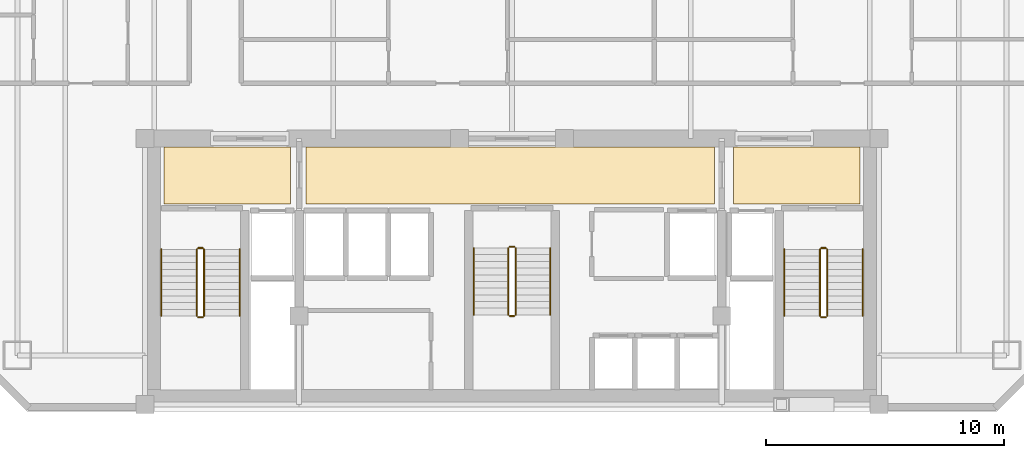
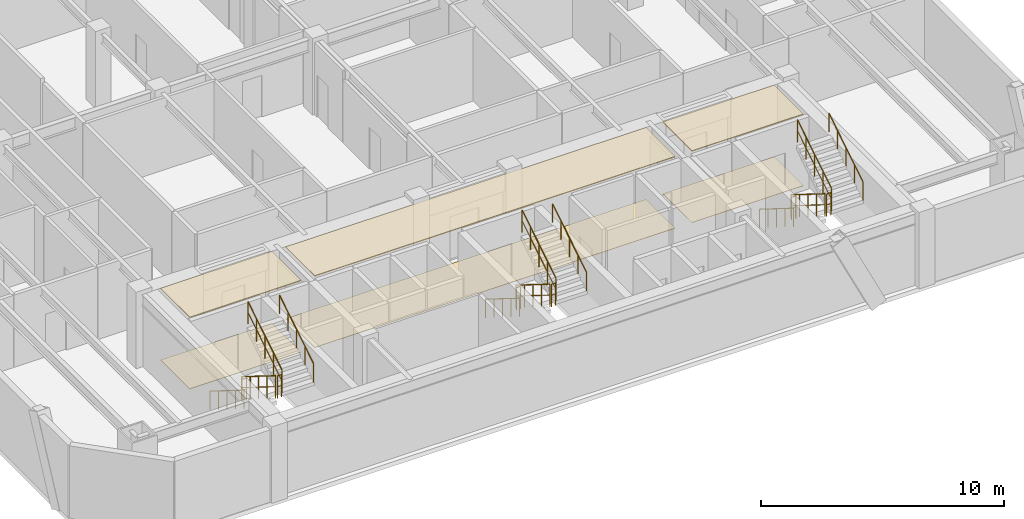
# One storey, part 8 of 8: 18 railings, 6 coverings.
"""IFC4 building model written with IfcOpenShell, lengths in metres."""

from ifc_helpers import new_model, si_unit, direction, frame, origin, origin_2d, place, context, subcontext, project, spatial, polyline, circle, outline, extrude, material, layer, layer_set, type_object, element, save


model = new_model("IFC4")

# Units and contexts
model_context = context("Model", 3, precision=1e-05, world=origin(), true_north=direction((0.0, 1.0)))
body_context = subcontext(model_context, "Body", "Model", "MODEL_VIEW")
ifc_project = project(units=[si_unit("LENGTHUNIT", "METRE"), si_unit("AREAUNIT", "SQUARE_METRE"), si_unit("VOLUMEUNIT", "CUBIC_METRE"), si_unit("PLANEANGLEUNIT", "RADIAN"), si_unit("MASSUNIT", "GRAM", prefix="KILO")], contexts=[model_context])

# Site, building, storey
site_placement = place(None, origin())
site = spatial("IfcSite", under=ifc_project, at=site_placement, CompositionType="ELEMENT")
building_placement = place(site_placement, origin())
building = spatial("IfcBuilding", under=site, at=building_placement, Name="Ventersveld Concourse Tower", CompositionType="ELEMENT")
storey_placement = place(building_placement, frame((0.0, 0.0, 160.60009765625)))
storey = spatial("IfcBuildingStorey", under=building, at=storey_placement, Name="L39", CompositionType="ELEMENT", Elevation=160.60009765625)

# Coverings
ifc_material_1 = material(Name="Mineral-fibre acoustic ceiling tile", Category="gypsum")
ifc_layer_1 = layer(ifc_material_1, 0.0400390625)
ifc_layer_set_1 = layer_set([ifc_layer_1], Name="Mineral-fibre acoustic ceiling tile")
covering_type_1 = type_object("IfcCoveringType", Name="COV-CEIL-ACOUSTIC", PredefinedType="CEILING", material=ifc_layer_set_1)
covering_1_placement = place(storey_placement, frame((0.0, 0.0, 3.58984375)))
element("IfcCovering", 1, at=covering_1_placement, inside=storey, type_object=covering_type_1, Name="L39 North Lift Lobby Acoustic Ceiling", PredefinedType="CEILING", context=body_context, shape_type="SweptSolid", body=[
    extrude(outline(polyline([(20.10009765625, 8.699951171875), (37.25, 8.699951171875), (37.25, 11.10009765625), (20.10009765625, 11.10009765625), (20.10009765625, 8.699951171875)])), origin(), (0.0, 0.0, 1.0), 0.0400390625),
])
covering_2_placement = place(storey_placement, frame((0.0, 0.0, 3.58984375)))
element("IfcCovering", 2, at=covering_2_placement, inside=storey, type_object=covering_type_1, Name="L39 West Firefighting Lobby Acoustic Ceiling", PredefinedType="CEILING", context=body_context, shape_type="SweptSolid", body=[
    extrude(outline(polyline([(14.14990234375, 8.699951171875), (19.449951171875, 8.699951171875), (19.449951171875, 11.10009765625), (14.14990234375, 11.10009765625), (14.14990234375, 8.699951171875)])), origin(), (0.0, 0.0, 1.0), 0.0400390625),
])
covering_3_placement = place(storey_placement, frame((0.0, 0.0, 3.58984375)))
element("IfcCovering", 3, at=covering_3_placement, inside=storey, type_object=covering_type_1, Name="L39 East Firefighting Lobby Acoustic Ceiling", PredefinedType="CEILING", context=body_context, shape_type="SweptSolid", body=[
    extrude(outline(polyline([(38.050048828125, 8.699951171875), (43.35009765625, 8.699951171875), (43.35009765625, 11.10009765625), (38.050048828125, 11.10009765625), (38.050048828125, 8.699951171875)])), origin(), (0.0, 0.0, 1.0), 0.0400390625),
])
ifc_material_2 = material(Name="Polished Highveld granite terrazzo", Category="masonry")
ifc_layer_2 = layer(ifc_material_2, 0.02001953125)
ifc_layer_set_2 = layer_set([ifc_layer_2], Name="Polished Highveld granite terrazzo")
covering_type_2 = type_object("IfcCoveringType", Name="COV-FLOOR-TERRAZZO", PredefinedType="FLOORING", material=ifc_layer_set_2)
covering_4_placement = place(storey_placement, origin())
element("IfcCovering", 4, at=covering_4_placement, inside=storey, type_object=covering_type_2, Name="L39 North Lift Lobby Terrazzo Flooring", PredefinedType="FLOORING", context=body_context, shape_type="SweptSolid", body=[
    extrude(outline(polyline([(20.10009765625, 8.699951171875), (37.25, 8.699951171875), (37.25, 11.10009765625), (20.10009765625, 11.10009765625), (20.10009765625, 8.699951171875)])), origin(), (0.0, 0.0, 1.0), 0.02001953125),
])
covering_5_placement = place(storey_placement, origin())
element("IfcCovering", 5, at=covering_5_placement, inside=storey, type_object=covering_type_2, Name="L39 West Firefighting Lobby Terrazzo Flooring", PredefinedType="FLOORING", context=body_context, shape_type="SweptSolid", body=[
    extrude(outline(polyline([(14.14990234375, 8.699951171875), (19.449951171875, 8.699951171875), (19.449951171875, 11.10009765625), (14.14990234375, 11.10009765625), (14.14990234375, 8.699951171875)])), origin(), (0.0, 0.0, 1.0), 0.02001953125),
])
covering_6_placement = place(storey_placement, origin())
element("IfcCovering", 6, at=covering_6_placement, inside=storey, type_object=covering_type_2, Name="L39 East Firefighting Lobby Terrazzo Flooring", PredefinedType="FLOORING", context=body_context, shape_type="SweptSolid", body=[
    extrude(outline(polyline([(38.050048828125, 8.699951171875), (43.35009765625, 8.699951171875), (43.35009765625, 11.10009765625), (38.050048828125, 11.10009765625), (38.050048828125, 8.699951171875)])), origin(), (0.0, 0.0, 1.0), 0.02001953125),
])

# Railings
ifc_material_3 = material(Name="Brushed stainless steel 316", Category="steel")
railing_type_1 = type_object("IfcRailingType", Name="GD-BAL-115", PredefinedType="GUARDRAIL", material=ifc_material_3)
railing_1_placement = place(storey_placement, frame((15.530029296875, 6.800048828125, 0.1748046875)))
element("IfcRailing", 7, at=railing_1_placement, inside=storey, type_object=railing_type_1, Name="L39 ST-01 stair guard 1", PredefinedType="GUARDRAIL", context=body_context, shape_type="SweptSolid", body=[
    extrude(circle(Radius=0.02392578125, at=origin_2d()), frame((0.0, 0.0, 1.1259765625), z_axis=(0.0, -0.848002457836, 0.529992293815), x_axis=(1.0, 0.0, 0.0)), (0.0, 0.0, 1.0), 3.302001953125),
    extrude(circle(Radius=0.01611328125, at=origin_2d()), frame((0.0, 0.0, 0.574951171875), z_axis=(0.0, -0.848002457836, 0.529992293815), x_axis=(1.0, 0.0, 0.0)), (0.0, 0.0, 1.0), 3.302001953125),
    extrude(circle(Radius=0.02099609375, at=origin_2d()), origin(), (0.0, 0.0, 1.0), 1.101806640625),
    extrude(circle(Radius=0.02099609375, at=origin_2d()), frame((0.0, -0.699951171875, 0.4375)), (0.0, 0.0, 1.0), 1.101806640625),
    extrude(circle(Radius=0.02099609375, at=origin_2d()), frame((0.0, -1.39990234375, 0.875)), (0.0, 0.0, 1.0), 1.101806640625),
    extrude(circle(Radius=0.02099609375, at=origin_2d()), frame((0.0, -2.10009765625, 1.3125)), (0.0, 0.0, 1.0), 1.101806640625),
    extrude(circle(Radius=0.02099609375, at=origin_2d()), frame((0.0, -2.800048828125, 1.75)), (0.0, 0.0, 1.0), 1.101806640625),
])
railing_2_placement = place(storey_placement, frame((15.580078125, 3.949951171875, 1.9248046875)))
element("IfcRailing", 8, at=railing_2_placement, inside=storey, type_object=railing_type_1, Name="L39 ST-01 stair guard 2", PredefinedType="GUARDRAIL", context=body_context, shape_type="SweptSolid", body=[
    extrude(circle(Radius=0.02392578125, at=origin_2d()), frame((0.0, 0.0, 1.1259765625), z_axis=(1.0, 0.0, 0.0), x_axis=(0.0, 1.0, 0.0)), (0.0, 0.0, 1.0), 0.199951171875),
    extrude(circle(Radius=0.01611328125, at=origin_2d()), frame((0.0, 0.0, 0.574951171875), z_axis=(1.0, 0.0, 0.0), x_axis=(0.0, 1.0, 0.0)), (0.0, 0.0, 1.0), 0.199951171875),
    extrude(circle(Radius=0.02099609375, at=origin_2d()), origin(), (0.0, 0.0, 1.0), 1.101806640625),
    extrude(circle(Radius=0.02099609375, at=origin_2d()), frame((0.199951171875, 0.0, 0.0)), (0.0, 0.0, 1.0), 1.101806640625),
])
railing_3_placement = place(storey_placement, frame((15.830078125, 4.0, 2.099853515625)))
element("IfcRailing", 9, at=railing_3_placement, inside=storey, type_object=railing_type_1, Name="L39 ST-01 stair guard 3", PredefinedType="GUARDRAIL", context=body_context, shape_type="SweptSolid", body=[
    extrude(circle(Radius=0.02392578125, at=origin_2d()), frame((0.0, 0.0, 1.1259765625), z_axis=(0.0, 0.848002457836, 0.529992293815), x_axis=(-1.0, 0.0, 0.0)), (0.0, 0.0, 1.0), 3.302001953125),
    extrude(circle(Radius=0.01611328125, at=origin_2d()), frame((0.0, 0.0, 0.574951171875), z_axis=(0.0, 0.848002457836, 0.529992293815), x_axis=(-1.0, 0.0, 0.0)), (0.0, 0.0, 1.0), 3.302001953125),
    extrude(circle(Radius=0.02099609375, at=origin_2d()), origin(), (0.0, 0.0, 1.0), 1.101806640625),
    extrude(circle(Radius=0.02099609375, at=origin_2d()), frame((0.0, 0.699951171875, 0.4375)), (0.0, 0.0, 1.0), 1.101806640625),
    extrude(circle(Radius=0.02099609375, at=origin_2d()), frame((0.0, 1.39990234375, 0.875)), (0.0, 0.0, 1.0), 1.101806640625),
    extrude(circle(Radius=0.02099609375, at=origin_2d()), frame((0.0, 2.10009765625, 1.3125)), (0.0, 0.0, 1.0), 1.101806640625),
    extrude(circle(Radius=0.02099609375, at=origin_2d()), frame((0.0, 2.800048828125, 1.75)), (0.0, 0.0, 1.0), 1.101806640625),
])
railing_4_placement = place(storey_placement, frame((15.580078125, 6.85009765625, 0.0)))
element("IfcRailing", 10, at=railing_4_placement, inside=storey, type_object=railing_type_1, Name="L39 ST-01 stair guard 4", PredefinedType="GUARDRAIL", context=body_context, shape_type="SweptSolid", body=[
    extrude(circle(Radius=0.02392578125, at=origin_2d()), frame((0.0, 0.0, 1.1259765625), z_axis=(1.0, 0.0, 0.0), x_axis=(0.0, 1.0, 0.0)), (0.0, 0.0, 1.0), 0.199951171875),
    extrude(circle(Radius=0.01611328125, at=origin_2d()), frame((0.0, 0.0, 0.574951171875), z_axis=(1.0, 0.0, 0.0), x_axis=(0.0, 1.0, 0.0)), (0.0, 0.0, 1.0), 0.199951171875),
    extrude(circle(Radius=0.02099609375, at=origin_2d()), origin(), (0.0, 0.0, 1.0), 1.101806640625),
    extrude(circle(Radius=0.02099609375, at=origin_2d()), frame((0.199951171875, 0.0, 0.0)), (0.0, 0.0, 1.0), 1.101806640625),
])
railing_5_placement = place(storey_placement, frame((41.669921875, 6.800048828125, 0.1748046875)))
element("IfcRailing", 11, at=railing_5_placement, inside=storey, type_object=railing_type_1, Name="L39 ST-02 stair guard 1", PredefinedType="GUARDRAIL", context=body_context, shape_type="SweptSolid", body=[
    extrude(circle(Radius=0.02392578125, at=origin_2d()), frame((0.0, 0.0, 1.1259765625), z_axis=(0.0, -0.848002457836, 0.529992293815), x_axis=(1.0, 0.0, 0.0)), (0.0, 0.0, 1.0), 3.302001953125),
    extrude(circle(Radius=0.01611328125, at=origin_2d()), frame((0.0, 0.0, 0.574951171875), z_axis=(0.0, -0.848002457836, 0.529992293815), x_axis=(1.0, 0.0, 0.0)), (0.0, 0.0, 1.0), 3.302001953125),
    extrude(circle(Radius=0.02099609375, at=origin_2d()), origin(), (0.0, 0.0, 1.0), 1.101806640625),
    extrude(circle(Radius=0.02099609375, at=origin_2d()), frame((0.0, -0.699951171875, 0.4375)), (0.0, 0.0, 1.0), 1.101806640625),
    extrude(circle(Radius=0.02099609375, at=origin_2d()), frame((0.0, -1.39990234375, 0.875)), (0.0, 0.0, 1.0), 1.101806640625),
    extrude(circle(Radius=0.02099609375, at=origin_2d()), frame((0.0, -2.10009765625, 1.3125)), (0.0, 0.0, 1.0), 1.101806640625),
    extrude(circle(Radius=0.02099609375, at=origin_2d()), frame((0.0, -2.800048828125, 1.75)), (0.0, 0.0, 1.0), 1.101806640625),
])
railing_6_placement = place(storey_placement, frame((41.719970703125, 3.949951171875, 1.9248046875)))
element("IfcRailing", 12, at=railing_6_placement, inside=storey, type_object=railing_type_1, Name="L39 ST-02 stair guard 2", PredefinedType="GUARDRAIL", context=body_context, shape_type="SweptSolid", body=[
    extrude(circle(Radius=0.02392578125, at=origin_2d()), frame((0.0, 0.0, 1.1259765625), z_axis=(1.0, 0.0, 0.0), x_axis=(0.0, 1.0, 0.0)), (0.0, 0.0, 1.0), 0.199951171875),
    extrude(circle(Radius=0.01611328125, at=origin_2d()), frame((0.0, 0.0, 0.574951171875), z_axis=(1.0, 0.0, 0.0), x_axis=(0.0, 1.0, 0.0)), (0.0, 0.0, 1.0), 0.199951171875),
    extrude(circle(Radius=0.02099609375, at=origin_2d()), origin(), (0.0, 0.0, 1.0), 1.101806640625),
    extrude(circle(Radius=0.02099609375, at=origin_2d()), frame((0.199951171875, 0.0, 0.0)), (0.0, 0.0, 1.0), 1.101806640625),
])
railing_7_placement = place(storey_placement, frame((41.969970703125, 4.0, 2.099853515625)))
element("IfcRailing", 13, at=railing_7_placement, inside=storey, type_object=railing_type_1, Name="L39 ST-02 stair guard 3", PredefinedType="GUARDRAIL", context=body_context, shape_type="SweptSolid", body=[
    extrude(circle(Radius=0.02392578125, at=origin_2d()), frame((0.0, 0.0, 1.1259765625), z_axis=(0.0, 0.848002457836, 0.529992293815), x_axis=(-1.0, 0.0, 0.0)), (0.0, 0.0, 1.0), 3.302001953125),
    extrude(circle(Radius=0.01611328125, at=origin_2d()), frame((0.0, 0.0, 0.574951171875), z_axis=(0.0, 0.848002457836, 0.529992293815), x_axis=(-1.0, 0.0, 0.0)), (0.0, 0.0, 1.0), 3.302001953125),
    extrude(circle(Radius=0.02099609375, at=origin_2d()), origin(), (0.0, 0.0, 1.0), 1.101806640625),
    extrude(circle(Radius=0.02099609375, at=origin_2d()), frame((0.0, 0.699951171875, 0.4375)), (0.0, 0.0, 1.0), 1.101806640625),
    extrude(circle(Radius=0.02099609375, at=origin_2d()), frame((0.0, 1.39990234375, 0.875)), (0.0, 0.0, 1.0), 1.101806640625),
    extrude(circle(Radius=0.02099609375, at=origin_2d()), frame((0.0, 2.10009765625, 1.3125)), (0.0, 0.0, 1.0), 1.101806640625),
    extrude(circle(Radius=0.02099609375, at=origin_2d()), frame((0.0, 2.800048828125, 1.75)), (0.0, 0.0, 1.0), 1.101806640625),
])
railing_8_placement = place(storey_placement, frame((41.719970703125, 6.85009765625, 0.0)))
element("IfcRailing", 14, at=railing_8_placement, inside=storey, type_object=railing_type_1, Name="L39 ST-02 stair guard 4", PredefinedType="GUARDRAIL", context=body_context, shape_type="SweptSolid", body=[
    extrude(circle(Radius=0.02392578125, at=origin_2d()), frame((0.0, 0.0, 1.1259765625), z_axis=(1.0, 0.0, 0.0), x_axis=(0.0, 1.0, 0.0)), (0.0, 0.0, 1.0), 0.199951171875),
    extrude(circle(Radius=0.01611328125, at=origin_2d()), frame((0.0, 0.0, 0.574951171875), z_axis=(1.0, 0.0, 0.0), x_axis=(0.0, 1.0, 0.0)), (0.0, 0.0, 1.0), 0.199951171875),
    extrude(circle(Radius=0.02099609375, at=origin_2d()), origin(), (0.0, 0.0, 1.0), 1.101806640625),
    extrude(circle(Radius=0.02099609375, at=origin_2d()), frame((0.199951171875, 0.0, 0.0)), (0.0, 0.0, 1.0), 1.101806640625),
])
railing_9_placement = place(storey_placement, frame((28.60009765625, 6.85009765625, 0.1748046875)))
element("IfcRailing", 15, at=railing_9_placement, inside=storey, type_object=railing_type_1, Name="L39 ST-03 stair guard 1", PredefinedType="GUARDRAIL", context=body_context, shape_type="SweptSolid", body=[
    extrude(circle(Radius=0.02392578125, at=origin_2d()), frame((0.0, 0.0, 1.1259765625), z_axis=(0.0, -0.848002457836, 0.529992293815), x_axis=(1.0, 0.0, 0.0)), (0.0, 0.0, 1.0), 3.302001953125),
    extrude(circle(Radius=0.01611328125, at=origin_2d()), frame((0.0, 0.0, 0.574951171875), z_axis=(0.0, -0.848002457836, 0.529992293815), x_axis=(1.0, 0.0, 0.0)), (0.0, 0.0, 1.0), 3.302001953125),
    extrude(circle(Radius=0.02099609375, at=origin_2d()), origin(), (0.0, 0.0, 1.0), 1.101806640625),
    extrude(circle(Radius=0.02099609375, at=origin_2d()), frame((0.0, -0.699951171875, 0.4375)), (0.0, 0.0, 1.0), 1.101806640625),
    extrude(circle(Radius=0.02099609375, at=origin_2d()), frame((0.0, -1.39990234375, 0.875)), (0.0, 0.0, 1.0), 1.101806640625),
    extrude(circle(Radius=0.02099609375, at=origin_2d()), frame((0.0, -2.10009765625, 1.3125)), (0.0, 0.0, 1.0), 1.101806640625),
    extrude(circle(Radius=0.02099609375, at=origin_2d()), frame((0.0, -2.800048828125, 1.75)), (0.0, 0.0, 1.0), 1.101806640625),
])
railing_10_placement = place(storey_placement, frame((28.64990234375, 4.0, 1.9248046875)))
element("IfcRailing", 16, at=railing_10_placement, inside=storey, type_object=railing_type_1, Name="L39 ST-03 stair guard 2", PredefinedType="GUARDRAIL", context=body_context, shape_type="SweptSolid", body=[
    extrude(circle(Radius=0.02392578125, at=origin_2d()), frame((0.0, 0.0, 1.1259765625), z_axis=(1.0, 0.0, 0.0), x_axis=(0.0, 1.0, 0.0)), (0.0, 0.0, 1.0), 0.2001953125),
    extrude(circle(Radius=0.01611328125, at=origin_2d()), frame((0.0, 0.0, 0.574951171875), z_axis=(1.0, 0.0, 0.0), x_axis=(0.0, 1.0, 0.0)), (0.0, 0.0, 1.0), 0.2001953125),
    extrude(circle(Radius=0.02099609375, at=origin_2d()), origin(), (0.0, 0.0, 1.0), 1.101806640625),
    extrude(circle(Radius=0.02099609375, at=origin_2d()), frame((0.2001953125, 0.0, 0.0)), (0.0, 0.0, 1.0), 1.101806640625),
])
railing_11_placement = place(storey_placement, frame((28.89990234375, 4.050048828125, 2.099853515625)))
element("IfcRailing", 17, at=railing_11_placement, inside=storey, type_object=railing_type_1, Name="L39 ST-03 stair guard 3", PredefinedType="GUARDRAIL", context=body_context, shape_type="SweptSolid", body=[
    extrude(circle(Radius=0.02392578125, at=origin_2d()), frame((0.0, 0.0, 1.1259765625), z_axis=(0.0, 0.848002457836, 0.529992293815), x_axis=(-1.0, 0.0, 0.0)), (0.0, 0.0, 1.0), 3.302001953125),
    extrude(circle(Radius=0.01611328125, at=origin_2d()), frame((0.0, 0.0, 0.574951171875), z_axis=(0.0, 0.848002457836, 0.529992293815), x_axis=(-1.0, 0.0, 0.0)), (0.0, 0.0, 1.0), 3.302001953125),
    extrude(circle(Radius=0.02099609375, at=origin_2d()), origin(), (0.0, 0.0, 1.0), 1.101806640625),
    extrude(circle(Radius=0.02099609375, at=origin_2d()), frame((0.0, 0.699951171875, 0.4375)), (0.0, 0.0, 1.0), 1.101806640625),
    extrude(circle(Radius=0.02099609375, at=origin_2d()), frame((0.0, 1.39990234375, 0.875)), (0.0, 0.0, 1.0), 1.101806640625),
    extrude(circle(Radius=0.02099609375, at=origin_2d()), frame((0.0, 2.10009765625, 1.3125)), (0.0, 0.0, 1.0), 1.101806640625),
    extrude(circle(Radius=0.02099609375, at=origin_2d()), frame((0.0, 2.800048828125, 1.75)), (0.0, 0.0, 1.0), 1.101806640625),
])
railing_12_placement = place(storey_placement, frame((28.64990234375, 6.89990234375, 0.0)))
element("IfcRailing", 18, at=railing_12_placement, inside=storey, type_object=railing_type_1, Name="L39 ST-03 stair guard 4", PredefinedType="GUARDRAIL", context=body_context, shape_type="SweptSolid", body=[
    extrude(circle(Radius=0.02392578125, at=origin_2d()), frame((0.0, 0.0, 1.1259765625), z_axis=(1.0, 0.0, 0.0), x_axis=(0.0, 1.0, 0.0)), (0.0, 0.0, 1.0), 0.2001953125),
    extrude(circle(Radius=0.01611328125, at=origin_2d()), frame((0.0, 0.0, 0.574951171875), z_axis=(1.0, 0.0, 0.0), x_axis=(0.0, 1.0, 0.0)), (0.0, 0.0, 1.0), 0.2001953125),
    extrude(circle(Radius=0.02099609375, at=origin_2d()), origin(), (0.0, 0.0, 1.0), 1.101806640625),
    extrude(circle(Radius=0.02099609375, at=origin_2d()), frame((0.2001953125, 0.0, 0.0)), (0.0, 0.0, 1.0), 1.101806640625),
])
railing_type_2 = type_object("IfcRailingType", Name="HR-RMP-095", PredefinedType="HANDRAIL", material=ifc_material_3)
railing_13_placement = place(storey_placement, frame((14.030029296875, 6.800048828125, 0.1748046875)))
element("IfcRailing", 19, at=railing_13_placement, inside=storey, type_object=railing_type_2, Name="L39 ST-01 stair handrail 1", PredefinedType="HANDRAIL", context=body_context, shape_type="SweptSolid", body=[
    extrude(circle(Radius=0.02392578125, at=origin_2d()), frame((0.0, 0.0, 0.92578125), z_axis=(0.0, -0.848002457836, 0.529992293815), x_axis=(1.0, 0.0, 0.0)), (0.0, 0.0, 1.0), 3.302001953125),
    extrude(circle(Radius=0.02099609375, at=origin_2d()), origin(), (0.0, 0.0, 1.0), 0.90185546875),
    extrude(circle(Radius=0.02099609375, at=origin_2d()), frame((0.0, -0.699951171875, 0.4375)), (0.0, 0.0, 1.0), 0.90185546875),
    extrude(circle(Radius=0.02099609375, at=origin_2d()), frame((0.0, -1.39990234375, 0.875)), (0.0, 0.0, 1.0), 0.90185546875),
    extrude(circle(Radius=0.02099609375, at=origin_2d()), frame((0.0, -2.10009765625, 1.3125)), (0.0, 0.0, 1.0), 0.90185546875),
    extrude(circle(Radius=0.02099609375, at=origin_2d()), frame((0.0, -2.800048828125, 1.75)), (0.0, 0.0, 1.0), 0.90185546875),
])
railing_14_placement = place(storey_placement, frame((17.330078125, 4.0, 2.099853515625)))
element("IfcRailing", 20, at=railing_14_placement, inside=storey, type_object=railing_type_2, Name="L39 ST-01 stair handrail 2", PredefinedType="HANDRAIL", context=body_context, shape_type="SweptSolid", body=[
    extrude(circle(Radius=0.02392578125, at=origin_2d()), frame((0.0, 0.0, 0.92578125), z_axis=(0.0, 0.848002457836, 0.529992293815), x_axis=(-1.0, 0.0, 0.0)), (0.0, 0.0, 1.0), 3.302001953125),
    extrude(circle(Radius=0.02099609375, at=origin_2d()), origin(), (0.0, 0.0, 1.0), 0.90185546875),
    extrude(circle(Radius=0.02099609375, at=origin_2d()), frame((0.0, 0.699951171875, 0.4375)), (0.0, 0.0, 1.0), 0.90185546875),
    extrude(circle(Radius=0.02099609375, at=origin_2d()), frame((0.0, 1.39990234375, 0.875)), (0.0, 0.0, 1.0), 0.90185546875),
    extrude(circle(Radius=0.02099609375, at=origin_2d()), frame((0.0, 2.10009765625, 1.3125)), (0.0, 0.0, 1.0), 0.90185546875),
    extrude(circle(Radius=0.02099609375, at=origin_2d()), frame((0.0, 2.800048828125, 1.75)), (0.0, 0.0, 1.0), 0.90185546875),
])
railing_15_placement = place(storey_placement, frame((40.169921875, 6.800048828125, 0.1748046875)))
element("IfcRailing", 21, at=railing_15_placement, inside=storey, type_object=railing_type_2, Name="L39 ST-02 stair handrail 1", PredefinedType="HANDRAIL", context=body_context, shape_type="SweptSolid", body=[
    extrude(circle(Radius=0.02392578125, at=origin_2d()), frame((0.0, 0.0, 0.92578125), z_axis=(0.0, -0.848002457836, 0.529992293815), x_axis=(1.0, 0.0, 0.0)), (0.0, 0.0, 1.0), 3.302001953125),
    extrude(circle(Radius=0.02099609375, at=origin_2d()), origin(), (0.0, 0.0, 1.0), 0.90185546875),
    extrude(circle(Radius=0.02099609375, at=origin_2d()), frame((0.0, -0.699951171875, 0.4375)), (0.0, 0.0, 1.0), 0.90185546875),
    extrude(circle(Radius=0.02099609375, at=origin_2d()), frame((0.0, -1.39990234375, 0.875)), (0.0, 0.0, 1.0), 0.90185546875),
    extrude(circle(Radius=0.02099609375, at=origin_2d()), frame((0.0, -2.10009765625, 1.3125)), (0.0, 0.0, 1.0), 0.90185546875),
    extrude(circle(Radius=0.02099609375, at=origin_2d()), frame((0.0, -2.800048828125, 1.75)), (0.0, 0.0, 1.0), 0.90185546875),
])
railing_16_placement = place(storey_placement, frame((43.469970703125, 4.0, 2.099853515625)))
element("IfcRailing", 22, at=railing_16_placement, inside=storey, type_object=railing_type_2, Name="L39 ST-02 stair handrail 2", PredefinedType="HANDRAIL", context=body_context, shape_type="SweptSolid", body=[
    extrude(circle(Radius=0.02392578125, at=origin_2d()), frame((0.0, 0.0, 0.92578125), z_axis=(0.0, 0.848002457836, 0.529992293815), x_axis=(-1.0, 0.0, 0.0)), (0.0, 0.0, 1.0), 3.302001953125),
    extrude(circle(Radius=0.02099609375, at=origin_2d()), origin(), (0.0, 0.0, 1.0), 0.90185546875),
    extrude(circle(Radius=0.02099609375, at=origin_2d()), frame((0.0, 0.699951171875, 0.4375)), (0.0, 0.0, 1.0), 0.90185546875),
    extrude(circle(Radius=0.02099609375, at=origin_2d()), frame((0.0, 1.39990234375, 0.875)), (0.0, 0.0, 1.0), 0.90185546875),
    extrude(circle(Radius=0.02099609375, at=origin_2d()), frame((0.0, 2.10009765625, 1.3125)), (0.0, 0.0, 1.0), 0.90185546875),
    extrude(circle(Radius=0.02099609375, at=origin_2d()), frame((0.0, 2.800048828125, 1.75)), (0.0, 0.0, 1.0), 0.90185546875),
])
railing_17_placement = place(storey_placement, frame((27.14990234375, 6.85009765625, 0.1748046875)))
element("IfcRailing", 23, at=railing_17_placement, inside=storey, type_object=railing_type_2, Name="L39 ST-03 stair handrail 1", PredefinedType="HANDRAIL", context=body_context, shape_type="SweptSolid", body=[
    extrude(circle(Radius=0.02392578125, at=origin_2d()), frame((0.0, 0.0, 0.92578125), z_axis=(0.0, -0.848002457836, 0.529992293815), x_axis=(1.0, 0.0, 0.0)), (0.0, 0.0, 1.0), 3.302001953125),
    extrude(circle(Radius=0.02099609375, at=origin_2d()), origin(), (0.0, 0.0, 1.0), 0.90185546875),
    extrude(circle(Radius=0.02099609375, at=origin_2d()), frame((0.0, -0.699951171875, 0.4375)), (0.0, 0.0, 1.0), 0.90185546875),
    extrude(circle(Radius=0.02099609375, at=origin_2d()), frame((0.0, -1.39990234375, 0.875)), (0.0, 0.0, 1.0), 0.90185546875),
    extrude(circle(Radius=0.02099609375, at=origin_2d()), frame((0.0, -2.10009765625, 1.3125)), (0.0, 0.0, 1.0), 0.90185546875),
    extrude(circle(Radius=0.02099609375, at=origin_2d()), frame((0.0, -2.800048828125, 1.75)), (0.0, 0.0, 1.0), 0.90185546875),
])
railing_18_placement = place(storey_placement, frame((30.35009765625, 4.050048828125, 2.099853515625)))
element("IfcRailing", 24, at=railing_18_placement, inside=storey, type_object=railing_type_2, Name="L39 ST-03 stair handrail 2", PredefinedType="HANDRAIL", context=body_context, shape_type="SweptSolid", body=[
    extrude(circle(Radius=0.02392578125, at=origin_2d()), frame((0.0, 0.0, 0.92578125), z_axis=(0.0, 0.848002457836, 0.529992293815), x_axis=(-1.0, 0.0, 0.0)), (0.0, 0.0, 1.0), 3.302001953125),
    extrude(circle(Radius=0.02099609375, at=origin_2d()), origin(), (0.0, 0.0, 1.0), 0.90185546875),
    extrude(circle(Radius=0.02099609375, at=origin_2d()), frame((0.0, 0.699951171875, 0.4375)), (0.0, 0.0, 1.0), 0.90185546875),
    extrude(circle(Radius=0.02099609375, at=origin_2d()), frame((0.0, 1.39990234375, 0.875)), (0.0, 0.0, 1.0), 0.90185546875),
    extrude(circle(Radius=0.02099609375, at=origin_2d()), frame((0.0, 2.10009765625, 1.3125)), (0.0, 0.0, 1.0), 0.90185546875),
    extrude(circle(Radius=0.02099609375, at=origin_2d()), frame((0.0, 2.800048828125, 1.75)), (0.0, 0.0, 1.0), 0.90185546875),
])

save(model, "model.ifc")
